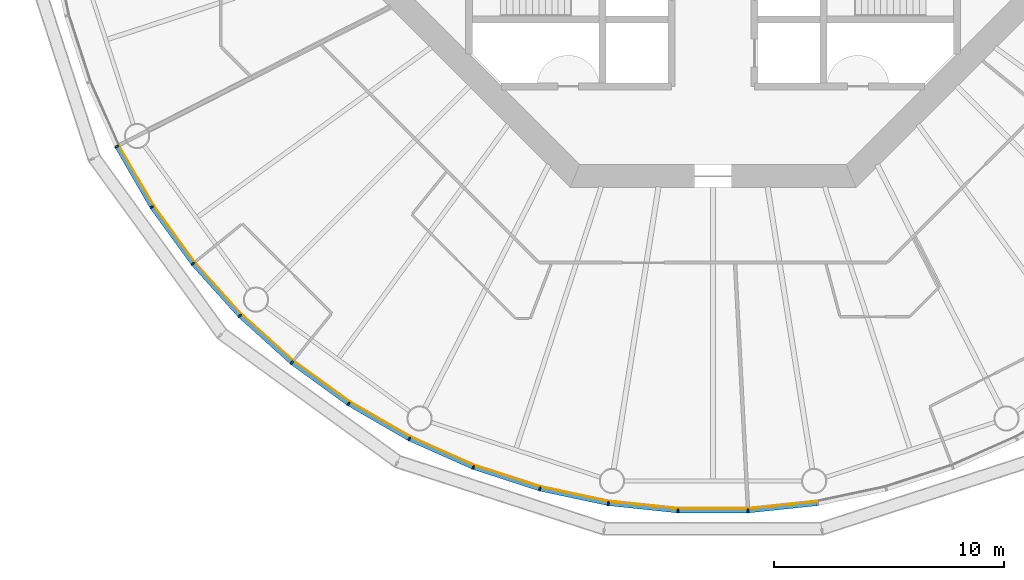
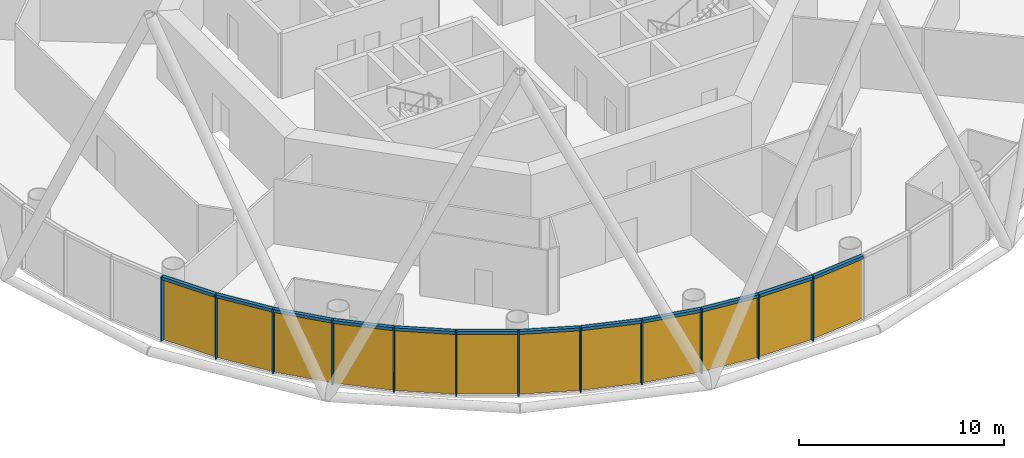
# One storey, part 7 of 13: 24 members, 4 curtain walls.
"""IFC4 building model written with IfcOpenShell, lengths in metres."""

from ifc_helpers import new_model, si_unit, direction, frame, origin, origin_2d, place, context, subcontext, project, spatial, polyline, rectangle, outline, extrude, material, layer, layer_set, material_profile, profile_set, type_object, element, aggregate, save


model = new_model("IFC4")

# Units and contexts
model_context = context("Model", 3, precision=1e-05, world=origin(), true_north=direction((0.0, 1.0)))
body_context = subcontext(model_context, "Body", "Model", "MODEL_VIEW")
ifc_project = project(units=[si_unit("LENGTHUNIT", "METRE"), si_unit("AREAUNIT", "SQUARE_METRE"), si_unit("VOLUMEUNIT", "CUBIC_METRE"), si_unit("PLANEANGLEUNIT", "RADIAN"), si_unit("MASSUNIT", "GRAM", prefix="KILO")], contexts=[model_context])

# Member
ifc_material_1 = material(Name="Anodised aluminium", Category="aluminium")
ifc_material_profile_1 = material_profile(ifc_material_1, rectangle(XDim=0.06494140625, YDim=0.18505859375, at=origin_2d()), Name="Mullion 65 x 185 mm anodised aluminium")
ifc_profile_set_1 = profile_set([ifc_material_profile_1], Name="Anodised aluminium")
member_type_1 = type_object("IfcMemberType", Name="Mullion 65 x 185 mm anodised aluminium", PredefinedType="MULLION", material=ifc_profile_set_1)
site_placement = place(None, origin())
building_placement = place(site_placement, origin())
storey_placement = place(building_placement, frame((0.0, 0.0, 180.0)))
member_1_placement = place(storey_placement, frame((64.078369140625, 66.792236328125, 0.0), z_axis=(0.0, 0.0, 1.0), x_axis=(0.45399049974, -0.891006524188, 0.0)))
member_1 = element("IfcMember", 1, at=member_1_placement, type_object=member_type_1, Name="MULLION L41-33", PredefinedType="MULLION", context=body_context, shape_type="SweptSolid", body=[
    extrude(rectangle(XDim=0.06494140625, YDim=0.18505859375, at=origin_2d()), origin(), (0.0, 0.0, 1.0), 3.85009765625),
])

member_2_placement = place(storey_placement, frame((65.60107421875, 64.155029296875, 0.0), z_axis=(0.0, 0.0, 1.0), x_axis=(0.544639035015, -0.838670567945, 0.0)))
member_2 = element("IfcMember", 2, at=member_2_placement, type_object=member_type_1, Name="MULLION L41-34", PredefinedType="MULLION", context=body_context, shape_type="SweptSolid", body=[
    extrude(rectangle(XDim=0.06494140625, YDim=0.18505859375, at=origin_2d()), origin(), (0.0, 0.0, 1.0), 3.85009765625),
])

member_3_placement = place(storey_placement, frame((67.390869140625, 61.69140625, 0.0), z_axis=(0.0, 0.0, 1.0), x_axis=(0.62932039105, -0.777145961457, 0.0)))
member_3 = element("IfcMember", 3, at=member_3_placement, type_object=member_type_1, Name="MULLION L41-35", PredefinedType="MULLION", context=body_context, shape_type="SweptSolid", body=[
    extrude(rectangle(XDim=0.06494140625, YDim=0.18505859375, at=origin_2d()), origin(), (0.0, 0.0, 1.0), 3.85009765625),
])

member_4_placement = place(storey_placement, frame((69.428466796875, 59.428466796875, 0.0), z_axis=(0.0, 0.0, 1.0), x_axis=(0.707106781187, -0.707106781187, 0.0)))
member_4 = element("IfcMember", 4, at=member_4_placement, type_object=member_type_1, Name="MULLION L41-36", PredefinedType="MULLION", context=body_context, shape_type="SweptSolid", body=[
    extrude(rectangle(XDim=0.06494140625, YDim=0.18505859375, at=origin_2d()), origin(), (0.0, 0.0, 1.0), 3.85009765625),
])

member_5_placement = place(storey_placement, frame((71.69140625, 57.390869140625, 0.0), z_axis=(0.0, 0.0, 1.0), x_axis=(0.777145961457, -0.62932039105, 0.0)))
member_5 = element("IfcMember", 5, at=member_5_placement, type_object=member_type_1, Name="MULLION L41-37", PredefinedType="MULLION", context=body_context, shape_type="SweptSolid", body=[
    extrude(rectangle(XDim=0.06494140625, YDim=0.18505859375, at=origin_2d()), origin(), (0.0, 0.0, 1.0), 3.85009765625),
])

member_6_placement = place(storey_placement, frame((74.155029296875, 55.60107421875, 0.0), z_axis=(0.0, 0.0, 1.0), x_axis=(0.838670567945, -0.544639035015, 0.0)))
member_6 = element("IfcMember", 6, at=member_6_placement, type_object=member_type_1, Name="MULLION L41-38", PredefinedType="MULLION", context=body_context, shape_type="SweptSolid", body=[
    extrude(rectangle(XDim=0.06494140625, YDim=0.18505859375, at=origin_2d()), origin(), (0.0, 0.0, 1.0), 3.85009765625),
])

member_7_placement = place(storey_placement, frame((76.792236328125, 54.078369140625, 0.0), z_axis=(0.0, 0.0, 1.0), x_axis=(0.891006524188, -0.45399049974, 0.0)))
member_7 = element("IfcMember", 7, at=member_7_placement, type_object=member_type_1, Name="MULLION L41-39", PredefinedType="MULLION", context=body_context, shape_type="SweptSolid", body=[
    extrude(rectangle(XDim=0.06494140625, YDim=0.18505859375, at=origin_2d()), origin(), (0.0, 0.0, 1.0), 3.85009765625),
])

member_8_placement = place(storey_placement, frame((79.57421875, 52.83984375, 0.0), z_axis=(0.0, 0.0, 1.0), x_axis=(0.933580426497, -0.358367949545, 0.0)))
member_8 = element("IfcMember", 8, at=member_8_placement, type_object=member_type_1, Name="MULLION L41-40", PredefinedType="MULLION", context=body_context, shape_type="SweptSolid", body=[
    extrude(rectangle(XDim=0.06494140625, YDim=0.18505859375, at=origin_2d()), origin(), (0.0, 0.0, 1.0), 3.85009765625),
])

member_9_placement = place(storey_placement, frame((82.47021484375, 51.898681640625, 0.0), z_axis=(0.0, 0.0, 1.0), x_axis=(0.965925826289, -0.258819045103, 0.0)))
member_9 = element("IfcMember", 9, at=member_9_placement, type_object=member_type_1, Name="MULLION L41-41", PredefinedType="MULLION", context=body_context, shape_type="SweptSolid", body=[
    extrude(rectangle(XDim=0.06494140625, YDim=0.18505859375, at=origin_2d()), origin(), (0.0, 0.0, 1.0), 3.85009765625),
])

member_10_placement = place(storey_placement, frame((85.448974609375, 51.265625, 0.0), z_axis=(0.0, 0.0, 1.0), x_axis=(0.987688340595, -0.15643446504, 0.0)))
member_10 = element("IfcMember", 10, at=member_10_placement, type_object=member_type_1, Name="MULLION L41-42", PredefinedType="MULLION", context=body_context, shape_type="SweptSolid", body=[
    extrude(rectangle(XDim=0.06494140625, YDim=0.18505859375, at=origin_2d()), origin(), (0.0, 0.0, 1.0), 3.85009765625),
])

member_11_placement = place(storey_placement, frame((88.477294921875, 50.947265625, 0.0), z_axis=(0.0, 0.0, 1.0), x_axis=(0.998629534755, -0.052335956243, 0.0)))
member_11 = element("IfcMember", 11, at=member_11_placement, type_object=member_type_1, Name="MULLION L41-43", PredefinedType="MULLION", context=body_context, shape_type="SweptSolid", body=[
    extrude(rectangle(XDim=0.06494140625, YDim=0.18505859375, at=origin_2d()), origin(), (0.0, 0.0, 1.0), 3.85009765625),
])

member_12_placement = place(storey_placement, frame((91.522705078125, 50.947265625, 0.0), z_axis=(0.0, 0.0, 1.0), x_axis=(0.998629534755, 0.052335956243, 0.0)))
member_12 = element("IfcMember", 12, at=member_12_placement, type_object=member_type_1, Name="MULLION L41-44", PredefinedType="MULLION", context=body_context, shape_type="SweptSolid", body=[
    extrude(rectangle(XDim=0.06494140625, YDim=0.18505859375, at=origin_2d()), origin(), (0.0, 0.0, 1.0), 3.85009765625),
])

ifc_material_2 = material(Name="Anodised aluminium", Category="aluminium")
ifc_material_profile_2 = material_profile(ifc_material_2, rectangle(XDim=0.18505859375, YDim=0.175048828125, at=origin_2d()), Name="Transom 175 x 185 mm anodised aluminium")
ifc_profile_set_2 = profile_set([ifc_material_profile_2], Name="Anodised aluminium")
member_type_2 = type_object("IfcMemberType", Name="Transom 175 x 185 mm anodised aluminium", PredefinedType="USERDEFINED", material=ifc_profile_set_2)
member_13_placement = place(storey_placement, frame((64.096923828125, 66.759765625, 3.762451171875), z_axis=(0.500028367561, -0.866009025146, 0.0), x_axis=(0.866009025146, 0.500028367561, 0.0)))
member_13 = element("IfcMember", 13, at=member_13_placement, type_object=member_type_2, Name="TRANSOM L41-33", ObjectType="TRANSOM", PredefinedType="USERDEFINED", context=body_context, shape_type="SweptSolid", body=[
    extrude(rectangle(XDim=0.18505859375, YDim=0.175048828125, at=origin_2d()), origin(), (0.0, 0.0, 1.0), 2.970458984375),
])

member_14_placement = place(storey_placement, frame((65.622802734375, 64.124755859375, 3.762451171875), z_axis=(0.587819781808, -0.808991906087, 0.0), x_axis=(0.808991906087, 0.587819781808, 0.0)))
member_14 = element("IfcMember", 14, at=member_14_placement, type_object=member_type_2, Name="TRANSOM L41-34", ObjectType="TRANSOM", PredefinedType="USERDEFINED", context=body_context, shape_type="SweptSolid", body=[
    extrude(rectangle(XDim=0.18505859375, YDim=0.175048828125, at=origin_2d()), origin(), (0.0, 0.0, 1.0), 2.970458984375),
])

member_15_placement = place(storey_placement, frame((67.415771484375, 61.66357421875, 3.762451171875), z_axis=(0.669110027395, -0.743163354343, 0.0), x_axis=(0.743163354343, 0.669110027395, 0.0)))
member_15 = element("IfcMember", 15, at=member_15_placement, type_object=member_type_2, Name="TRANSOM L41-35", ObjectType="TRANSOM", PredefinedType="USERDEFINED", context=body_context, shape_type="SweptSolid", body=[
    extrude(rectangle(XDim=0.18505859375, YDim=0.175048828125, at=origin_2d()), origin(), (0.0, 0.0, 1.0), 2.970458984375),
])

member_16_placement = place(storey_placement, frame((69.4560546875, 59.4033203125, 3.762451171875), z_axis=(0.743163354343, -0.669110027395, 0.0), x_axis=(0.669110027395, 0.743163354343, 0.0)))
member_16 = element("IfcMember", 16, at=member_16_placement, type_object=member_type_2, Name="TRANSOM L41-36", ObjectType="TRANSOM", PredefinedType="USERDEFINED", context=body_context, shape_type="SweptSolid", body=[
    extrude(rectangle(XDim=0.18505859375, YDim=0.175048828125, at=origin_2d()), origin(), (0.0, 0.0, 1.0), 2.970458984375),
])

member_17_placement = place(storey_placement, frame((71.7216796875, 57.368896484375, 3.762451171875), z_axis=(0.808991906087, -0.587819781808, 0.0), x_axis=(0.587819781808, 0.808991906087, 0.0)))
member_17 = element("IfcMember", 17, at=member_17_placement, type_object=member_type_2, Name="TRANSOM L41-37", ObjectType="TRANSOM", PredefinedType="USERDEFINED", context=body_context, shape_type="SweptSolid", body=[
    extrude(rectangle(XDim=0.18505859375, YDim=0.175048828125, at=origin_2d()), origin(), (0.0, 0.0, 1.0), 2.970458984375),
])

member_18_placement = place(storey_placement, frame((74.187255859375, 55.582275390625, 3.762451171875), z_axis=(0.866009025146, -0.500028367561, 0.0), x_axis=(0.500028367561, 0.866009025146, 0.0)))
member_18 = element("IfcMember", 18, at=member_18_placement, type_object=member_type_2, Name="TRANSOM L41-38", ObjectType="TRANSOM", PredefinedType="USERDEFINED", context=body_context, shape_type="SweptSolid", body=[
    extrude(rectangle(XDim=0.18505859375, YDim=0.175048828125, at=origin_2d()), origin(), (0.0, 0.0, 1.0), 2.970458984375),
])

member_19_placement = place(storey_placement, frame((76.826416015625, 54.06298828125, 3.762451171875), z_axis=(0.913567348806, -0.406687471156, 0.0), x_axis=(0.406687471156, 0.913567348806, 0.0)))
member_19 = element("IfcMember", 19, at=member_19_placement, type_object=member_type_2, Name="TRANSOM L41-39", ObjectType="TRANSOM", PredefinedType="USERDEFINED", context=body_context, shape_type="SweptSolid", body=[
    extrude(rectangle(XDim=0.18505859375, YDim=0.175048828125, at=origin_2d()), origin(), (0.0, 0.0, 1.0), 2.970458984375),
])

member_20_placement = place(storey_placement, frame((79.609619140625, 52.828125, 3.762451171875), z_axis=(0.951055809184, -0.30901917063, 0.0), x_axis=(0.30901917063, 0.951055809184, 0.0)))
member_20 = element("IfcMember", 20, at=member_20_placement, type_object=member_type_2, Name="TRANSOM L41-40", ObjectType="TRANSOM", PredefinedType="USERDEFINED", context=body_context, shape_type="SweptSolid", body=[
    extrude(rectangle(XDim=0.18505859375, YDim=0.175048828125, at=origin_2d()), origin(), (0.0, 0.0, 1.0), 2.970703125),
])

member_21_placement = place(storey_placement, frame((82.5068359375, 51.890869140625, 3.762451171875), z_axis=(0.97815822425, -0.207861704825, 0.0), x_axis=(0.207861704825, 0.97815822425, 0.0)))
member_21 = element("IfcMember", 21, at=member_21_placement, type_object=member_type_2, Name="TRANSOM L41-41", ObjectType="TRANSOM", PredefinedType="USERDEFINED", context=body_context, shape_type="SweptSolid", body=[
    extrude(rectangle(XDim=0.18505859375, YDim=0.175048828125, at=origin_2d()), origin(), (0.0, 0.0, 1.0), 2.970458984375),
])

member_22_placement = place(storey_placement, frame((85.486083984375, 51.26171875, 3.762451171875), z_axis=(0.994519855197, -0.104547872381, 0.0), x_axis=(0.104547872381, 0.994519855197, 0.0)))
member_22 = element("IfcMember", 22, at=member_22_placement, type_object=member_type_2, Name="TRANSOM L41-42", ObjectType="TRANSOM", PredefinedType="USERDEFINED", context=body_context, shape_type="SweptSolid", body=[
    extrude(rectangle(XDim=0.18505859375, YDim=0.175048828125, at=origin_2d()), origin(), (0.0, 0.0, 1.0), 2.970458984375),
])

member_23_placement = place(storey_placement, frame((88.5146484375, 50.947265625, 3.762451171875), z_axis=(1.0, 0.0, 0.0), x_axis=(0.0, 1.0, 0.0)))
member_23 = element("IfcMember", 23, at=member_23_placement, type_object=member_type_2, Name="TRANSOM L41-43", ObjectType="TRANSOM", PredefinedType="USERDEFINED", context=body_context, shape_type="SweptSolid", body=[
    extrude(rectangle(XDim=0.18505859375, YDim=0.175048828125, at=origin_2d()), origin(), (0.0, 0.0, 1.0), 2.970703125),
])

member_24_placement = place(storey_placement, frame((91.559814453125, 50.951171875, 3.762451171875), z_axis=(0.994519855197, 0.104547872381, 0.0), x_axis=(-0.104547872381, 0.994519855197, 0.0)))
member_24 = element("IfcMember", 24, at=member_24_placement, type_object=member_type_2, Name="TRANSOM L41-44", ObjectType="TRANSOM", PredefinedType="USERDEFINED", context=body_context, shape_type="SweptSolid", body=[
    extrude(rectangle(XDim=0.18505859375, YDim=0.175048828125, at=origin_2d()), origin(), (0.0, 0.0, 1.0), 2.970458984375),
])

# Site, building, storey
site = spatial("IfcSite", under=ifc_project, at=site_placement, CompositionType="ELEMENT")
building = spatial("IfcBuilding", under=site, at=building_placement, Name="Entoto Ring Tower", CompositionType="ELEMENT")
storey = spatial("IfcBuildingStorey", under=building, at=storey_placement, Name="L41", CompositionType="ELEMENT", Elevation=180.0)

# Curtain wall
ifc_material_3 = material(Name="Clear low-iron glass", Category="glass")
ifc_layer = layer(ifc_material_3, 0.033935546875)
ifc_layer_set = layer_set([ifc_layer], Name="Clear low-iron glass")
curtain_wall_type = type_object("IfcCurtainWallType", Name="Curtain wall system CW3 glazing 34 mm", PredefinedType="NOTDEFINED", material=ifc_layer_set)
curtain_wall_1_placement = place(storey_placement, origin())
curtain_wall_1 = element("IfcCurtainWall", 25, at=curtain_wall_1_placement, inside=storey, type_object=curtain_wall_type, Name="CW3 L41-12", PredefinedType="NOTDEFINED", context=body_context, shape_type="SweptSolid", body=[
    extrude(outline(polyline([(64.160888671875, 66.834228515625), (65.678466796875, 64.20556640625), (67.462646484375, 61.749755859375), (69.493896484375, 59.493896484375), (69.51806640625, 59.51806640625), (67.4892578125, 61.771240234375), (65.70703125, 64.22412109375), (64.191162109375, 66.849853515625), (64.160888671875, 66.834228515625)])), origin(), (0.0, 0.0, 1.0), 3.85009765625),
])

aggregate(curtain_wall_1, [member_1, member_2, member_3, member_13, member_14, member_15])

curtain_wall_2_placement = place(storey_placement, origin())
curtain_wall_2 = element("IfcCurtainWall", 26, at=curtain_wall_2_placement, inside=storey, type_object=curtain_wall_type, Name="CW3 L41-13", PredefinedType="NOTDEFINED", context=body_context, shape_type="SweptSolid", body=[
    extrude(outline(polyline([(69.493896484375, 59.493896484375), (71.749755859375, 57.462646484375), (74.20556640625, 55.678466796875), (76.834228515625, 54.160888671875), (76.849853515625, 54.191162109375), (74.22412109375, 55.70703125), (71.771240234375, 57.4892578125), (69.51806640625, 59.51806640625), (69.493896484375, 59.493896484375)])), origin(), (0.0, 0.0, 1.0), 3.85009765625),
])

aggregate(curtain_wall_2, [member_4, member_5, member_6, member_16, member_17, member_18])

curtain_wall_3_placement = place(storey_placement, origin())
curtain_wall_3 = element("IfcCurtainWall", 27, at=curtain_wall_3_placement, inside=storey, type_object=curtain_wall_type, Name="CW3 L41-14", PredefinedType="NOTDEFINED", context=body_context, shape_type="SweptSolid", body=[
    extrude(outline(polyline([(76.834228515625, 54.160888671875), (79.607421875, 52.92626953125), (82.494140625, 51.988037109375), (85.46337890625, 51.35693359375), (85.46875, 51.390625), (82.503173828125, 52.02099609375), (79.61962890625, 52.9580078125), (76.849853515625, 54.191162109375), (76.834228515625, 54.160888671875)])), origin(), (0.0, 0.0, 1.0), 3.85009765625),
])

aggregate(curtain_wall_3, [member_7, member_8, member_9, member_19, member_20, member_21])

curtain_wall_4_placement = place(storey_placement, origin())
curtain_wall_4 = element("IfcCurtainWall", 28, at=curtain_wall_4_placement, inside=storey, type_object=curtain_wall_type, Name="CW3 L41-15", PredefinedType="NOTDEFINED", context=body_context, shape_type="SweptSolid", body=[
    extrude(outline(polyline([(85.46337890625, 51.35693359375), (88.482177734375, 51.039794921875), (91.517822265625, 51.039794921875), (94.53662109375, 51.35693359375), (94.53125, 51.390625), (91.515869140625, 51.07373046875), (88.484130859375, 51.07373046875), (85.46875, 51.390625), (85.46337890625, 51.35693359375)])), origin(), (0.0, 0.0, 1.0), 3.85009765625),
])

aggregate(curtain_wall_4, [member_10, member_11, member_12, member_22, member_23, member_24])

save(model, "model.ifc")
